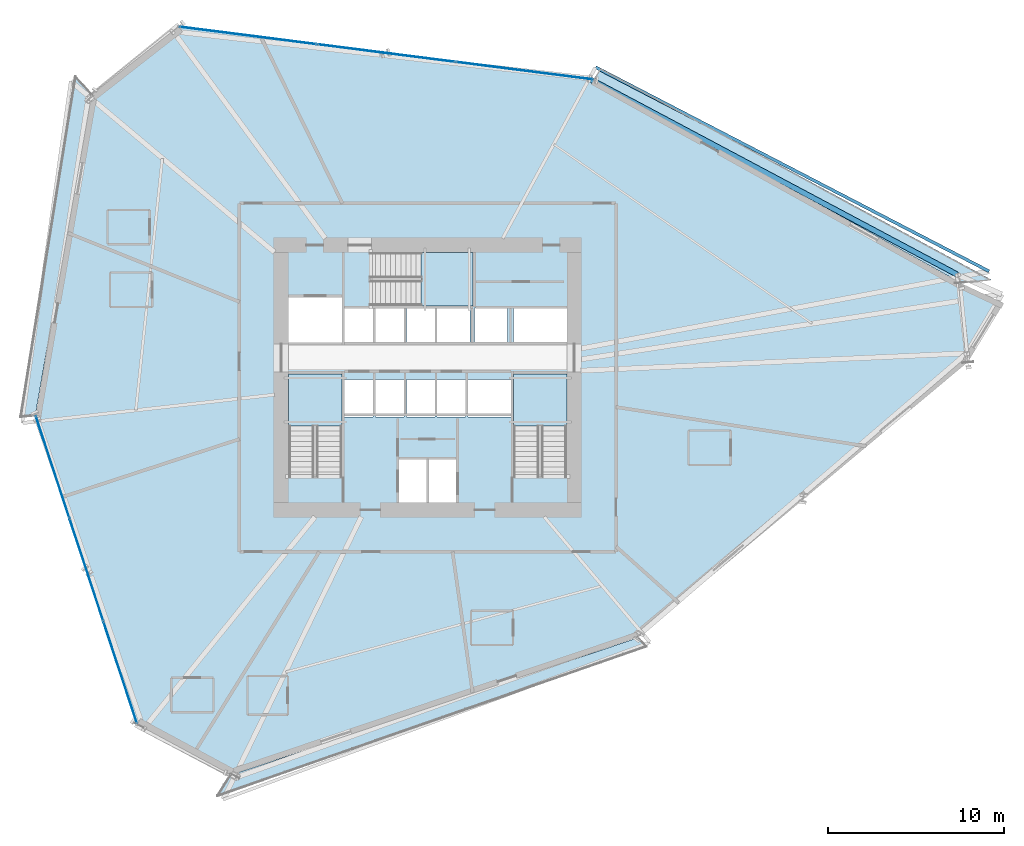
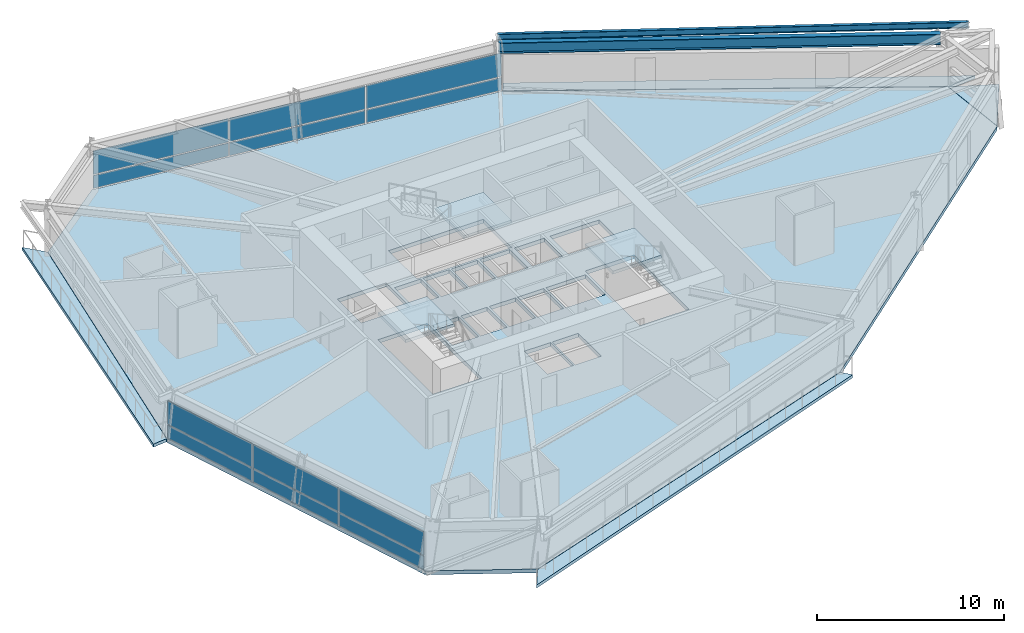
# One storey, part 11 of 22: 12 plates, 8 slabs, 2 beams, 5 elements without a shape of their own.
"""IFC4 building model written with IfcOpenShell, lengths in metres."""

from ifc_helpers import new_model, si_unit, direction, frame, origin, origin_2d, place, context, subcontext, project, spatial, polyline, rectangle, i_section, outline, extrude, source, transform, mapped, material, layer, layer_set, material_profile, profile_set, type_object, element, aggregate, save


model = new_model("IFC4")

# Units and contexts
model_context = context("Model", 3, precision=1e-05, world=origin(), true_north=direction((0.0, 1.0)))
body_context = subcontext(model_context, "Body", "Model", "MODEL_VIEW")
ifc_project = project(units=[si_unit("LENGTHUNIT", "METRE"), si_unit("AREAUNIT", "SQUARE_METRE"), si_unit("VOLUMEUNIT", "CUBIC_METRE"), si_unit("PLANEANGLEUNIT", "RADIAN"), si_unit("MASSUNIT", "GRAM", prefix="KILO")], contexts=[model_context])

# Site, building, storey
site_placement = place(None, origin())
site = spatial("IfcSite", under=ifc_project, at=site_placement, CompositionType="ELEMENT")
building_placement = place(site_placement, origin())
building = spatial("IfcBuilding", under=site, at=building_placement, Name="Olszyna Solenne Hotel", CompositionType="ELEMENT")
storey_placement = place(building_placement, frame((0.0, 0.0, 57.699951171875)))
storey = spatial("IfcBuildingStorey", under=building, at=storey_placement, Name="L14", CompositionType="ELEMENT", Elevation=57.699951171875)

# Beams
ifc_material_1 = material(Name="Steel S355J2", Category="steel")
ifc_material_profile_1 = material_profile(ifc_material_1, i_section(OverallWidth=0.300048828125, OverallDepth=0.699951171875, WebThickness=0.01708984375, FlangeThickness=0.031982421875, at=origin_2d()), Name="HEB 700", Category="load-bearing")
ifc_profile_set_1 = profile_set([ifc_material_profile_1], Name="Steel S355J2")
beam_type_1 = type_object("IfcBeamType", Name="BM-S1", PredefinedType="BEAM", material=ifc_profile_set_1)
shared_shape_1 = source(origin(), body_context, "Body", "SweptSolid", [
    extrude(i_section(OverallWidth=0.300048828125, OverallDepth=0.699951171875, WebThickness=0.01708984375, FlangeThickness=0.031982421875, at=origin_2d()), origin(), (0.0, 0.0, 1.0), 23.64892578125),
])
beam_1_placement = place(storey_placement, frame((68.073486328125, 32.45751953125, 2.949951171875), z_axis=(-0.882722172302, 0.469895271872, 0.0), x_axis=(-0.469895271872, -0.882722172302, 0.0)))
element("IfcBeam", 1, at=beam_1_placement, inside=storey, type_object=beam_type_1, Name="Perimeter spandrel beam BM-S1 B-L14-0437", PredefinedType="BEAM", context=body_context, shape_type="MappedRepresentation", body=[
    mapped(shared_shape_1, transform((0.0, 0.0, 0.0), x_axis=(1.0, 0.0, 0.0), y_axis=(0.0, 1.0, 0.0), z_axis=(0.0, 0.0, 1.0), scale=1.0)),
])
ifc_material_profile_2 = material_profile(ifc_material_1, i_section(OverallWidth=0.179931640625, OverallDepth=0.39990234375, WebThickness=0.008544921875, FlangeThickness=0.013427734375, at=origin_2d()), Name="IPE 400", Category="load-bearing")
ifc_profile_set_2 = profile_set([ifc_material_profile_2], Name="Steel S355J2")
beam_type_2 = type_object("IfcBeamType", Name="BM-F5", PredefinedType="BEAM", material=ifc_profile_set_2)
shared_shape_2 = source(origin(), body_context, "Body", "SweptSolid", [
    extrude(i_section(OverallWidth=0.179931640625, OverallDepth=0.39990234375, WebThickness=0.008544921875, FlangeThickness=0.013427734375, at=origin_2d()), origin(), (0.0, 0.0, 1.0), 25.18798828125),
])
beam_2_placement = place(storey_placement, frame((69.89501953125, 32.6376953125, 3.10009765625), z_axis=(-0.887703033687, 0.460416467976, 0.0), x_axis=(-0.460416467976, -0.887703033687, 0.0)))
element("IfcBeam", 2, at=beam_2_placement, inside=storey, type_object=beam_type_2, Name="Loggia outer edge beam BM-F5 B-L14-0463", PredefinedType="BEAM", context=body_context, shape_type="MappedRepresentation", body=[
    mapped(shared_shape_2, transform((0.0, 0.0, 0.0), x_axis=(1.0, 0.0, 0.0), y_axis=(0.0, 1.0, 0.0), z_axis=(0.0, 0.0, 1.0), scale=1.0)),
])

# Stair, slab
ifc_material_2 = material(Name="Concrete C40/50", Category="concrete")
stair_type = type_object("IfcStairType", Name="STR-C1", PredefinedType="TWO_QUARTER_WINDING_STAIR", material=ifc_material_2)
stair_1_placement = place(storey_placement, origin())
stair_1 = element("IfcStair", 3, at=stair_1_placement, inside=storey, type_object=stair_type, Name="L14 ST1", PredefinedType="TWO_QUARTER_WINDING_STAIR")
ifc_layer_1 = layer(ifc_material_2, 0.18994140625, Name="Concrete C40/50")
ifc_layer_set_1 = layer_set([ifc_layer_1], Name="Concrete C40/50")
slab_type_1 = type_object("IfcSlabType", Name="SL-LN190", PredefinedType="LANDING", material=ifc_layer_set_1)
slab_1_placement = place(storey_placement, frame((0.0, 0.0, 1.574951171875)))
slab_1 = element("IfcSlab", 4, at=slab_1_placement, type_object=slab_type_1, Name="ST1 landing 1", PredefinedType="LANDING", context=body_context, shape_type="SweptSolid", body=[
    extrude(outline(polyline([(33.1201171875, 23.85009765625), (33.1201171875, 26.800048828125), (30.10009765625, 26.800048828125), (30.10009765625, 23.85009765625), (33.1201171875, 23.85009765625)])), origin(), (0.0, 0.0, 1.0), 0.2001953125),
])
aggregate(stair_1, [slab_1])

stair_2_placement = place(storey_placement, origin())
stair_2 = element("IfcStair", 5, at=stair_2_placement, inside=storey, type_object=stair_type, Name="L14 ST2", PredefinedType="TWO_QUARTER_WINDING_STAIR")
slab_2_placement = place(storey_placement, frame((0.0, 0.0, 1.574951171875)))
slab_2 = element("IfcSlab", 6, at=slab_2_placement, type_object=slab_type_1, Name="ST2 landing 1", PredefinedType="LANDING", context=body_context, shape_type="SweptSolid", body=[
    extrude(outline(polyline([(45.89990234375, 23.85009765625), (45.89990234375, 26.800048828125), (42.8798828125, 26.800048828125), (42.8798828125, 23.85009765625), (45.89990234375, 23.85009765625)])), origin(), (0.0, 0.0, 1.0), 0.2001953125),
])
aggregate(stair_2, [slab_2])

stair_3_placement = place(storey_placement, origin())
stair_3 = element("IfcStair", 7, at=stair_3_placement, inside=storey, type_object=stair_type, Name="L14 ST3", PredefinedType="TWO_QUARTER_WINDING_STAIR")
slab_3_placement = place(storey_placement, frame((0.0, 0.0, 1.574951171875)))
slab_3 = element("IfcSlab", 8, at=slab_3_placement, type_object=slab_type_1, Name="ST3 landing 1", PredefinedType="LANDING", context=body_context, shape_type="SweptSolid", body=[
    extrude(outline(polyline([(37.6298828125, 30.679931640625), (40.580078125, 30.679931640625), (40.580078125, 33.699951171875), (37.6298828125, 33.699951171875), (37.6298828125, 30.679931640625)])), origin(), (0.0, 0.0, 1.0), 0.2001953125),
])
aggregate(stair_3, [slab_3])

# Slabs
ifc_material_3 = material(Name="Precast concrete C45/55", Category="concrete")
ifc_layer_2 = layer(ifc_material_3, 0.199951171875, Name="Precast concrete C45/55")
ifc_layer_set_2 = layer_set([ifc_layer_2], Name="Precast concrete C45/55")
slab_type_2 = type_object("IfcSlabType", Name="SL-LOG200", PredefinedType="FLOOR", material=ifc_layer_set_2)
slab_4_placement = place(storey_placement, frame((0.0, 0.0, -0.199951171875)))
element("IfcSlab", 9, at=slab_4_placement, inside=storey, type_object=slab_type_2, Name="Exterior loggia balcony slab SL-L14-LG1", PredefinedType="FLOOR", context=body_context, shape_type="SweptSolid", body=[
    extrude(outline(polyline([(47.45458984375, 43.544189453125), (68.26318359375, 31.992431640625), (68.285400390625, 31.98193359375), (70.028076171875, 32.15966796875), (47.846923828125, 44.16162109375), (47.45458984375, 43.544189453125)])), origin(), (0.0, 0.0, 1.0), 0.199951171875),
])
slab_5_placement = place(storey_placement, frame((0.0, 0.0, -0.199951171875)))
element("IfcSlab", 10, at=slab_5_placement, inside=storey, type_object=slab_type_2, Name="Exterior loggia balcony slab SL-L14-LG2", PredefinedType="FLOOR", context=body_context, shape_type="SweptSolid", body=[
    extrude(outline(polyline([(15.702392578125, 24.45849609375), (15.702392578125, 24.45947265625), (15.702392578125, 24.4609375), (15.702392578125, 24.46240234375), (18.88818359375, 42.686279296875), (18.888671875, 42.687744140625), (18.88916015625, 42.689208984375), (18.889892578125, 42.690673828125), (18.890625, 42.692138671875), (18.8916015625, 42.693359375), (18.892578125, 42.694580078125), (18.89306640625, 42.69482421875), (17.932373046875, 43.76318359375), (14.831298828125, 24.36962890625), (15.702392578125, 24.45849609375)])), origin(), (0.0, 0.0, 1.0), 0.199951171875),
])
slab_6_placement = place(storey_placement, frame((0.0, 0.0, -0.199951171875)))
element("IfcSlab", 11, at=slab_6_placement, inside=storey, type_object=slab_type_2, Name="Exterior loggia balcony slab SL-L14-LG3", PredefinedType="FLOOR", context=body_context, shape_type="SweptSolid", body=[
    extrude(outline(polyline([(49.958984375, 11.821533203125), (49.95849609375, 11.8212890625), (49.95751953125, 11.8203125), (49.956298828125, 11.819580078125), (49.955078125, 11.819091796875), (49.953857421875, 11.818603515625), (26.815185546875, 4.014404296875), (26.813720703125, 4.013916015625), (26.812255859375, 4.013671875), (26.810791015625, 4.013671875), (26.80908203125, 4.013671875), (26.8076171875, 4.013916015625), (26.80615234375, 4.01416015625), (26.8046875, 4.0146484375), (26.803466796875, 4.015380859375), (26.802490234375, 4.015869140625), (26.009521484375, 2.768310546875), (50.434326171875, 11.29296875), (49.958984375, 11.821533203125)])), origin(), (0.0, 0.0, 1.0), 0.199951171875),
])
ifc_material_4 = material(Name="Concrete C50/60", Category="concrete")
ifc_layer_3 = layer(ifc_material_4, 0.25, Name="Concrete C50/60")
ifc_layer_set_3 = layer_set([ifc_layer_3], Name="Concrete C50/60")
slab_type_3 = type_object("IfcSlabType", Name="SL-TW250", PredefinedType="FLOOR", material=ifc_layer_set_3)
slab_7_placement = place(storey_placement, frame((0.0, 0.0, -0.25)))
element("IfcSlab", 12, at=slab_7_placement, inside=storey, type_object=slab_type_3, Name="Floor slab SL-TW250 SL-L14-01", PredefinedType="FLOOR", context=body_context, shape_type="SweptSolid", body=[
    extrude(outline(polyline([(68.693115234375, 27.483642578125), (68.25634765625, 31.97900390625), (47.446533203125, 43.531494140625), (23.835693359375, 46.537841796875), (18.903076171875, 42.68359375), (15.71728515625, 24.4599609375), (21.501220703125, 6.88720703125), (26.810546875, 4.028564453125), (49.948974609375, 11.832763671875), (68.693115234375, 27.483642578125)]), holes=[polyline([(30.10009765625, 20.949951171875), (33.1201171875, 20.949951171875), (33.1201171875, 26.800048828125), (30.10009765625, 26.800048828125), (30.10009765625, 20.949951171875)]), polyline([(42.8798828125, 20.949951171875), (45.89990234375, 20.949951171875), (45.89990234375, 26.800048828125), (42.8798828125, 26.800048828125), (42.8798828125, 20.949951171875)]), polyline([(34.72998046875, 30.679931640625), (40.580078125, 30.679931640625), (40.580078125, 33.699951171875), (34.72998046875, 33.699951171875), (34.72998046875, 30.679931640625)]), polyline([(36.340087890625, 19.5), (37.9599609375, 19.5), (37.9599609375, 21.9599609375), (36.340087890625, 21.9599609375), (36.340087890625, 19.5)]), polyline([(38.0400390625, 19.5), (39.659912109375, 19.5), (39.659912109375, 21.9599609375), (38.0400390625, 21.9599609375), (38.0400390625, 19.5)]), polyline([(30.10009765625, 28.60009765625), (33.1201171875, 28.60009765625), (33.1201171875, 31.159912109375), (30.10009765625, 31.159912109375), (30.10009765625, 28.60009765625)]), polyline([(33.280029296875, 24.360107421875), (34.89990234375, 24.360107421875), (34.89990234375, 26.5), (33.280029296875, 26.5), (33.280029296875, 24.360107421875)]), polyline([(35.030029296875, 24.360107421875), (36.64990234375, 24.360107421875), (36.64990234375, 26.5), (35.030029296875, 26.5), (35.030029296875, 24.360107421875)]), polyline([(36.780029296875, 24.360107421875), (38.39990234375, 24.360107421875), (38.39990234375, 26.5), (36.780029296875, 26.5), (36.780029296875, 24.360107421875)]), polyline([(38.530029296875, 24.360107421875), (40.14990234375, 24.360107421875), (40.14990234375, 26.5), (38.530029296875, 26.5), (38.530029296875, 24.360107421875)]), polyline([(40.280029296875, 24.360107421875), (42.719970703125, 24.360107421875), (42.719970703125, 26.5), (40.280029296875, 26.5), (40.280029296875, 24.360107421875)]), polyline([(33.280029296875, 28.60009765625), (34.89990234375, 28.60009765625), (34.89990234375, 30.550048828125), (33.280029296875, 30.550048828125), (33.280029296875, 28.60009765625)]), polyline([(35.030029296875, 28.60009765625), (36.64990234375, 28.60009765625), (36.64990234375, 30.550048828125), (35.030029296875, 30.550048828125), (35.030029296875, 28.60009765625)]), polyline([(36.780029296875, 28.60009765625), (38.39990234375, 28.60009765625), (38.39990234375, 30.550048828125), (36.780029296875, 30.550048828125), (36.780029296875, 28.60009765625)]), polyline([(38.530029296875, 28.60009765625), (40.389892578125, 28.60009765625), (40.389892578125, 30.550048828125), (38.530029296875, 30.550048828125), (38.530029296875, 28.60009765625)]), polyline([(40.659912109375, 28.60009765625), (42.52001953125, 28.60009765625), (42.52001953125, 30.550048828125), (40.659912109375, 30.550048828125), (40.659912109375, 28.60009765625)]), polyline([(42.8798828125, 28.60009765625), (45.89990234375, 28.60009765625), (45.89990234375, 30.550048828125), (42.8798828125, 30.550048828125), (42.8798828125, 28.60009765625)])]), origin(), (0.0, 0.0, 1.0), 0.25),
])
slab_8_placement = place(storey_placement, frame((0.0, 0.0, -0.25)))
element("IfcSlab", 13, at=slab_8_placement, inside=storey, type_object=slab_type_3, Name="Faceted glass-prism floor slab SL-L14-PR", PredefinedType="FLOOR", context=body_context, shape_type="SweptSolid", body=[
    extrude(outline(polyline([(68.266845703125, 31.97412109375), (68.701904296875, 27.497802734375), (70.72998046875, 30.820556640625), (68.266845703125, 31.97412109375)])), origin(), (0.0, 0.0, 1.0), 0.25),
])

# Curtain wall, plates
ifc_material_5 = material(Name="Anodised bronze aluminium", Category="aluminium")
curtain_wall_type = type_object("IfcCurtainWallType", Name="CW-SYS-2", PredefinedType="NOTDEFINED", material=ifc_material_5)
curtain_wall_1_placement = place(storey_placement, origin())
curtain_wall_1 = element("IfcCurtainWall", 14, at=curtain_wall_1_placement, inside=storey, type_object=curtain_wall_type, Name="Unitised curtain wall CW-SYS-2 CW-L14-01", PredefinedType="NOTDEFINED")
ifc_material_6 = material(Name="Terracotta cladding", Category="masonry")
plate_type_1 = type_object("IfcPlateType", Name="PN-SP1", PredefinedType="CURTAIN_PANEL", material=ifc_material_6)
shared_shape_3 = source(origin(), body_context, "Body", "SweptSolid", [
    extrude(rectangle(XDim=6.05419921875, YDim=0.035888671875, at=origin_2d()), origin(), (0.0, 0.0, 1.0), 0.83740234375),
])
plate_1_placement = place(storey_placement, frame((16.687255859375, 21.513427734375, 0.0751953125), z_axis=(0.0, 0.0, 1.0), x_axis=(0.312646620081, -0.949869512592, 0.0)))
plate_1 = element("IfcPlate", 15, at=plate_1_placement, type_object=plate_type_1, Name="Curtain-wall panel PN-SP1 CP-L14-01-01", PredefinedType="CURTAIN_PANEL", context=body_context, shape_type="MappedRepresentation", body=[
    mapped(shared_shape_3, transform((0.0, 0.0, 0.0), x_axis=(1.0, 0.0, 0.0), y_axis=(0.0, 1.0, 0.0), z_axis=(0.0, 0.0, 1.0), scale=1.0)),
])
plate_2_placement = place(storey_placement, frame((20.531494140625, 9.833740234375, 0.0751953125), z_axis=(0.0, 0.0, 1.0), x_axis=(0.312646620081, -0.949869512592, 0.0)))
plate_2 = element("IfcPlate", 16, at=plate_2_placement, type_object=plate_type_1, Name="Curtain-wall panel PN-SP1 CP-L14-01-05", PredefinedType="CURTAIN_PANEL", context=body_context, shape_type="MappedRepresentation", body=[
    mapped(shared_shape_3, transform((0.0, 0.0, 0.0), x_axis=(1.0, 0.0, 0.0), y_axis=(0.0, 1.0, 0.0), z_axis=(0.0, 0.0, 1.0), scale=1.0)),
])
ifc_material_7 = material(Name="Low-E triple glazing", Category="glass")
plate_type_2 = type_object("IfcPlateType", Name="PN-GL1", PredefinedType="CURTAIN_PANEL", material=ifc_material_7)
shared_shape_4 = source(origin(), body_context, "Body", "SweptSolid", [
    extrude(rectangle(XDim=6.05419921875, YDim=0.035888671875, at=origin_2d()), origin(), (0.0, 0.0, 1.0), 1.529541015625),
])
plate_3_placement = place(storey_placement, frame((16.687255859375, 21.513427734375, 0.9873046875), z_axis=(0.0, 0.0, 1.0), x_axis=(0.312646620081, -0.949869512592, 0.0)))
plate_3 = element("IfcPlate", 17, at=plate_3_placement, type_object=plate_type_2, Name="Curtain-wall panel PN-GL1 CP-L14-01-02", PredefinedType="CURTAIN_PANEL", context=body_context, shape_type="MappedRepresentation", body=[
    mapped(shared_shape_4, transform((0.0, 0.0, 0.0), x_axis=(1.0, 0.0, 0.0), y_axis=(0.0, 1.0, 0.0), z_axis=(0.0, 0.0, 1.0), scale=1.0)),
])
plate_4_placement = place(storey_placement, frame((20.531494140625, 9.833740234375, 0.9873046875), z_axis=(0.0, 0.0, 1.0), x_axis=(0.312646620081, -0.949869512592, 0.0)))
plate_4 = element("IfcPlate", 18, at=plate_4_placement, type_object=plate_type_2, Name="Curtain-wall panel PN-GL1 CP-L14-01-06", PredefinedType="CURTAIN_PANEL", context=body_context, shape_type="MappedRepresentation", body=[
    mapped(shared_shape_4, transform((0.0, 0.0, 0.0), x_axis=(1.0, 0.0, 0.0), y_axis=(0.0, 1.0, 0.0), z_axis=(0.0, 0.0, 1.0), scale=1.0)),
])
shared_shape_5 = source(origin(), body_context, "Body", "SweptSolid", [
    extrude(rectangle(XDim=6.091796875, YDim=0.035888671875, at=origin_2d()), origin(), (0.0, 0.0, 1.0), 0.83740234375),
])
plate_5_placement = place(storey_placement, frame((18.609375, 15.673583984375, 0.0751953125), z_axis=(0.0, 0.0, 1.0), x_axis=(0.312646620081, -0.949869512592, 0.0)))
plate_5 = element("IfcPlate", 19, at=plate_5_placement, type_object=plate_type_1, Name="Curtain-wall panel PN-SP1 CP-L14-01-03", PredefinedType="CURTAIN_PANEL", context=body_context, shape_type="MappedRepresentation", body=[
    mapped(shared_shape_5, transform((0.0, 0.0, 0.0), x_axis=(1.0, 0.0, 0.0), y_axis=(0.0, 1.0, 0.0), z_axis=(0.0, 0.0, 1.0), scale=1.0)),
])
shared_shape_6 = source(origin(), body_context, "Body", "SweptSolid", [
    extrude(rectangle(XDim=6.091796875, YDim=0.035888671875, at=origin_2d()), origin(), (0.0, 0.0, 1.0), 1.529541015625),
])
plate_6_placement = place(storey_placement, frame((18.609375, 15.673583984375, 0.9873046875), z_axis=(0.0, 0.0, 1.0), x_axis=(0.312646620081, -0.949869512592, 0.0)))
plate_6 = element("IfcPlate", 20, at=plate_6_placement, type_object=plate_type_2, Name="Curtain-wall panel PN-GL1 CP-L14-01-04", PredefinedType="CURTAIN_PANEL", context=body_context, shape_type="MappedRepresentation", body=[
    mapped(shared_shape_6, transform((0.0, 0.0, 0.0), x_axis=(1.0, 0.0, 0.0), y_axis=(0.0, 1.0, 0.0), z_axis=(0.0, 0.0, 1.0), scale=1.0)),
])
aggregate(curtain_wall_1, [plate_1, plate_3, plate_5, plate_6, plate_2, plate_4])

curtain_wall_2_placement = place(storey_placement, origin())
curtain_wall_2 = element("IfcCurtainWall", 21, at=curtain_wall_2_placement, inside=storey, type_object=curtain_wall_type, Name="Unitised curtain wall CW-SYS-2 CW-L14-02", PredefinedType="NOTDEFINED")
shared_shape_7 = source(origin(), body_context, "Body", "SweptSolid", [
    extrude(rectangle(XDim=7.8212890625, YDim=0.035888671875, at=origin_2d()), origin(), (0.0, 0.0, 1.0), 0.83740234375),
])
plate_7_placement = place(storey_placement, frame((27.78955078125, 46.034423828125, 0.0751953125), z_axis=(0.0, 0.0, 1.0), x_axis=(0.991991127046, -0.126307576424, 0.0)))
plate_7 = element("IfcPlate", 22, at=plate_7_placement, type_object=plate_type_1, Name="Curtain-wall panel PN-SP1 CP-L14-02-01", PredefinedType="CURTAIN_PANEL", context=body_context, shape_type="MappedRepresentation", body=[
    mapped(shared_shape_7, transform((0.0, 0.0, 0.0), x_axis=(1.0, 0.0, 0.0), y_axis=(0.0, 1.0, 0.0), z_axis=(0.0, 0.0, 1.0), scale=1.0)),
])
plate_8_placement = place(storey_placement, frame((43.49267578125, 44.034912109375, 0.0751953125), z_axis=(0.0, 0.0, 1.0), x_axis=(0.991991127046, -0.126307576424, 0.0)))
plate_8 = element("IfcPlate", 23, at=plate_8_placement, type_object=plate_type_1, Name="Curtain-wall panel PN-SP1 CP-L14-02-05", PredefinedType="CURTAIN_PANEL", context=body_context, shape_type="MappedRepresentation", body=[
    mapped(shared_shape_7, transform((0.0, 0.0, 0.0), x_axis=(1.0, 0.0, 0.0), y_axis=(0.0, 1.0, 0.0), z_axis=(0.0, 0.0, 1.0), scale=1.0)),
])
shared_shape_8 = source(origin(), body_context, "Body", "SweptSolid", [
    extrude(rectangle(XDim=7.8212890625, YDim=0.035888671875, at=origin_2d()), origin(), (0.0, 0.0, 1.0), 1.529541015625),
])
plate_9_placement = place(storey_placement, frame((27.78955078125, 46.034423828125, 0.9873046875), z_axis=(0.0, 0.0, 1.0), x_axis=(0.991991127046, -0.126307576424, 0.0)))
plate_9 = element("IfcPlate", 24, at=plate_9_placement, type_object=plate_type_2, Name="Curtain-wall panel PN-GL1 CP-L14-02-02", PredefinedType="CURTAIN_PANEL", context=body_context, shape_type="MappedRepresentation", body=[
    mapped(shared_shape_8, transform((0.0, 0.0, 0.0), x_axis=(1.0, 0.0, 0.0), y_axis=(0.0, 1.0, 0.0), z_axis=(0.0, 0.0, 1.0), scale=1.0)),
])
plate_10_placement = place(storey_placement, frame((43.49267578125, 44.034912109375, 0.9873046875), z_axis=(0.0, 0.0, 1.0), x_axis=(0.991991127046, -0.126307576424, 0.0)))
plate_10 = element("IfcPlate", 25, at=plate_10_placement, type_object=plate_type_2, Name="Curtain-wall panel PN-GL1 CP-L14-02-06", PredefinedType="CURTAIN_PANEL", context=body_context, shape_type="MappedRepresentation", body=[
    mapped(shared_shape_8, transform((0.0, 0.0, 0.0), x_axis=(1.0, 0.0, 0.0), y_axis=(0.0, 1.0, 0.0), z_axis=(0.0, 0.0, 1.0), scale=1.0)),
])
shared_shape_9 = source(origin(), body_context, "Body", "SweptSolid", [
    extrude(rectangle(XDim=7.85888671875, YDim=0.035888671875, at=origin_2d()), origin(), (0.0, 0.0, 1.0), 0.83740234375),
])
plate_11_placement = place(storey_placement, frame((35.64111328125, 45.03466796875, 0.0751953125), z_axis=(0.0, 0.0, 1.0), x_axis=(0.991991127046, -0.126307576424, 0.0)))
plate_11 = element("IfcPlate", 26, at=plate_11_placement, type_object=plate_type_1, Name="Curtain-wall panel PN-SP1 CP-L14-02-03", PredefinedType="CURTAIN_PANEL", context=body_context, shape_type="MappedRepresentation", body=[
    mapped(shared_shape_9, transform((0.0, 0.0, 0.0), x_axis=(1.0, 0.0, 0.0), y_axis=(0.0, 1.0, 0.0), z_axis=(0.0, 0.0, 1.0), scale=1.0)),
])
shared_shape_10 = source(origin(), body_context, "Body", "SweptSolid", [
    extrude(rectangle(XDim=7.85888671875, YDim=0.035888671875, at=origin_2d()), origin(), (0.0, 0.0, 1.0), 1.529541015625),
])
plate_12_placement = place(storey_placement, frame((35.64111328125, 45.03466796875, 0.9873046875), z_axis=(0.0, 0.0, 1.0), x_axis=(0.991991127046, -0.126307576424, 0.0)))
plate_12 = element("IfcPlate", 27, at=plate_12_placement, type_object=plate_type_2, Name="Curtain-wall panel PN-GL1 CP-L14-02-04", PredefinedType="CURTAIN_PANEL", context=body_context, shape_type="MappedRepresentation", body=[
    mapped(shared_shape_10, transform((0.0, 0.0, 0.0), x_axis=(1.0, 0.0, 0.0), y_axis=(0.0, 1.0, 0.0), z_axis=(0.0, 0.0, 1.0), scale=1.0)),
])
aggregate(curtain_wall_2, [plate_7, plate_9, plate_11, plate_12, plate_8, plate_10])

save(model, "model.ifc")
